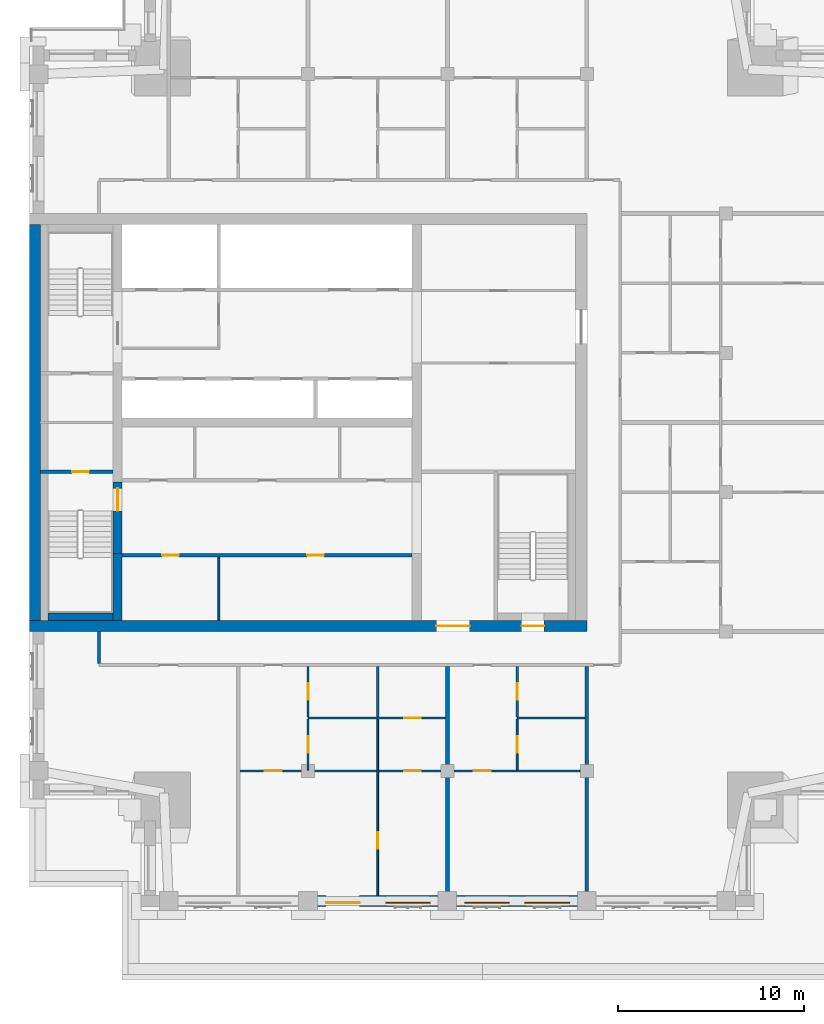
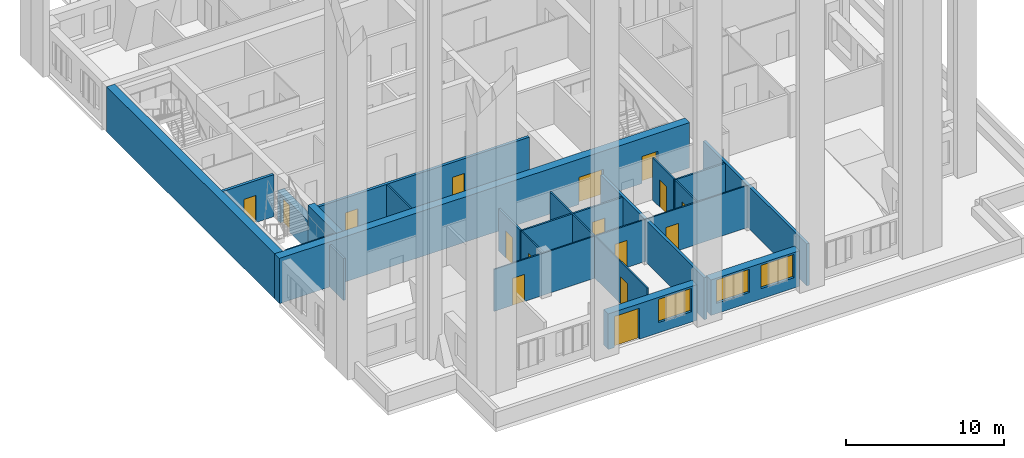
# One storey, part 3 of 12: 22 walls, 16 doors, 3 windows, 19 openings.
"""IFC4 building model written with IfcOpenShell, lengths in metres."""

from ifc_helpers import new_model, si_unit, direction, frame, frame_2d, origin, place, context, subcontext, project, spatial, rectangle, extrude, material, layer, layer_set, type_object, element, fill, save


model = new_model("IFC4")

# Units and contexts
model_context = context("Model", 3, precision=1e-05, world=origin(), true_north=direction((0.0, 1.0)))
body_context = subcontext(model_context, "Body", "Model", "MODEL_VIEW")
ifc_project = project(units=[si_unit("LENGTHUNIT", "METRE"), si_unit("AREAUNIT", "SQUARE_METRE"), si_unit("VOLUMEUNIT", "CUBIC_METRE"), si_unit("PLANEANGLEUNIT", "RADIAN"), si_unit("MASSUNIT", "GRAM", prefix="KILO")], contexts=[model_context])

# Site, building, storey
site_placement = place(None, origin())
site = spatial("IfcSite", under=ifc_project, at=site_placement, CompositionType="ELEMENT")
building_placement = place(site_placement, origin())
building = spatial("IfcBuilding", under=site, at=building_placement, Name="Tamorin Gate", CompositionType="ELEMENT")
storey_placement = place(building_placement, frame((0.0, 0.0, 266.199951171875)))
storey = spatial("IfcBuildingStorey", under=building, at=storey_placement, Name="L66", CompositionType="ELEMENT", Elevation=266.199951171875)

# Wall, openings, window, door
ifc_material_1 = material(Name="Precast concrete C40/50", Category="concrete")
ifc_layer_1 = layer(ifc_material_1, 0.60009765625)
ifc_layer_set_1 = layer_set([ifc_layer_1], Name="Precast concrete C40/50")
wall_type_1 = type_object("IfcWallType", Name="Board-marked concrete facade panel 600", PredefinedType="SOLIDWALL", material=ifc_layer_set_1)
wall_1_placement = place(storey_placement, frame((45.5, 45.5, 0.0), z_axis=(0.0, 0.0, 1.0), x_axis=(1.0, 0.0, 0.0)))
wall_1 = element("IfcWall", 1, at=wall_1_placement, inside=storey, type_object=wall_type_1, Name="Facade panel", PredefinedType="SOLIDWALL", context=body_context, shape_type="SweptSolid", body=[
    extrude(rectangle(XDim=6.5, YDim=0.60009765625, at=frame_2d((3.25, 0.0))), origin(), (0.0, 0.0, 1.0), 2.75),
])
opening_1_placement = place(wall_1_placement, frame((0.47509765625, 0.0, 0.0)))
opening_1 = element("IfcOpeningElement", 2, at=opening_1_placement, cuts=wall_1, Name="Opening DX1", PredefinedType="OPENING", context=body_context, shape_type="SweptSolid", body=[
    extrude(rectangle(XDim=1.800048828125, YDim=2.39990234375, at=frame_2d((0.89990234375, 1.199951171875))), frame((0.0, 0.31005859375, 0.0), z_axis=(0.0, -1.0, 0.0), x_axis=(1.0, 0.0, 0.0)), (0.0, 0.0, 1.0), 0.6201171875),
])
opening_2_placement = place(wall_1_placement, frame((3.675048828125, 0.0, 0.800048828125)))
opening_2 = element("IfcOpeningElement", 3, at=opening_2_placement, cuts=wall_1, Name="Opening WN1", PredefinedType="OPENING", context=body_context, shape_type="SweptSolid", body=[
    extrude(rectangle(XDim=2.39990234375, YDim=1.800048828125, at=frame_2d((1.199951171875, 0.89990234375))), frame((0.0, 0.31005859375, 0.0), z_axis=(0.0, -1.0, 0.0), x_axis=(1.0, 0.0, 0.0)), (0.0, 0.0, 1.0), 0.6201171875),
])
ifc_material_2 = material(Name="Clear glass in aluminium frame", Category="aluminium")
window_type = type_object("IfcWindowType", Name="Deep-set window 2400x1800", PartitioningType="SINGLE_PANEL", PredefinedType="WINDOW", material=ifc_material_2)
window_1_placement = place(opening_2_placement, origin())
window_1 = element("IfcWindow", 4, at=window_1_placement, inside=storey, type_object=window_type, Name="Deep-set window", OverallHeight=1.800048828125, OverallWidth=2.39990234375, PartitioningType="SINGLE_PANEL", PredefinedType="WINDOW", context=body_context, shape_type="SweptSolid", body=[
    extrude(rectangle(XDim=2.39990234375, YDim=1.800048828125, at=frame_2d((1.199951171875, 0.89990234375))), frame((0.0, -0.070068359375, 0.0), z_axis=(0.0, -1.0, 0.0), x_axis=(1.0, 0.0, 0.0)), (0.0, 0.0, 1.0), 0.06005859375),
])
fill(opening_2, window_1)
door_type_1 = type_object("IfcDoorType", Name="Terrace door 1800x2400", OperationType="DOUBLE_DOOR_SINGLE_SWING", PredefinedType="DOOR", material=ifc_material_2)
door_1_placement = place(opening_1_placement, origin())
door_1 = element("IfcDoor", 5, at=door_1_placement, inside=storey, type_object=door_type_1, Name="Terrace door", OperationType="SINGLE_SWING_LEFT", OverallHeight=2.39990234375, OverallWidth=1.800048828125, PredefinedType="DOOR", context=body_context, shape_type="SweptSolid", body=[
    extrude(rectangle(XDim=1.800048828125, YDim=2.39990234375, at=frame_2d((0.89990234375, 1.199951171875))), frame((0.0, -0.0751953125, 0.0), z_axis=(0.0, -1.0, 0.0), x_axis=(1.0, 0.0, 0.0)), (0.0, 0.0, 1.0), 0.050048828125),
])
fill(opening_1, door_1)

# Wall, openings, windows
wall_2_placement = place(storey_placement, frame((53.0, 45.5, 0.0), z_axis=(0.0, 0.0, 1.0), x_axis=(1.0, 0.0, 0.0)))
wall_2 = element("IfcWall", 6, at=wall_2_placement, inside=storey, type_object=wall_type_1, Name="Facade panel", PredefinedType="SOLIDWALL", context=body_context, shape_type="SweptSolid", body=[
    extrude(rectangle(XDim=6.5, YDim=0.60009765625, at=frame_2d((3.25, 0.0))), origin(), (0.0, 0.0, 1.0), 2.75),
])
opening_3_placement = place(wall_2_placement, frame((0.425048828125, 0.0, 0.800048828125)))
opening_3 = element("IfcOpeningElement", 7, at=opening_3_placement, cuts=wall_2, Name="Opening WN1", PredefinedType="OPENING", context=body_context, shape_type="SweptSolid", body=[
    extrude(rectangle(XDim=2.39990234375, YDim=1.800048828125, at=frame_2d((1.199951171875, 0.89990234375))), frame((0.0, 0.31005859375, 0.0), z_axis=(0.0, -1.0, 0.0), x_axis=(1.0, 0.0, 0.0)), (0.0, 0.0, 1.0), 0.6201171875),
])
opening_4_placement = place(wall_2_placement, frame((3.675048828125, 0.0, 0.800048828125)))
opening_4 = element("IfcOpeningElement", 8, at=opening_4_placement, cuts=wall_2, Name="Opening WN1", PredefinedType="OPENING", context=body_context, shape_type="SweptSolid", body=[
    extrude(rectangle(XDim=2.39990234375, YDim=1.800048828125, at=frame_2d((1.199951171875, 0.89990234375))), frame((0.0, 0.31005859375, 0.0), z_axis=(0.0, -1.0, 0.0), x_axis=(1.0, 0.0, 0.0)), (0.0, 0.0, 1.0), 0.6201171875),
])
window_2_placement = place(opening_3_placement, origin())
window_2 = element("IfcWindow", 9, at=window_2_placement, inside=storey, type_object=window_type, Name="Deep-set window", OverallHeight=1.800048828125, OverallWidth=2.39990234375, PartitioningType="SINGLE_PANEL", PredefinedType="WINDOW", context=body_context, shape_type="SweptSolid", body=[
    extrude(rectangle(XDim=2.39990234375, YDim=1.800048828125, at=frame_2d((1.199951171875, 0.89990234375))), frame((0.0, -0.070068359375, 0.0), z_axis=(0.0, -1.0, 0.0), x_axis=(1.0, 0.0, 0.0)), (0.0, 0.0, 1.0), 0.06005859375),
])
fill(opening_3, window_2)
window_3_placement = place(opening_4_placement, origin())
window_3 = element("IfcWindow", 10, at=window_3_placement, inside=storey, type_object=window_type, Name="Deep-set window", OverallHeight=1.800048828125, OverallWidth=2.39990234375, PartitioningType="SINGLE_PANEL", PredefinedType="WINDOW", context=body_context, shape_type="SweptSolid", body=[
    extrude(rectangle(XDim=2.39990234375, YDim=1.800048828125, at=frame_2d((1.199951171875, 0.89990234375))), frame((0.0, -0.070068359375, 0.0), z_axis=(0.0, -1.0, 0.0), x_axis=(1.0, 0.0, 0.0)), (0.0, 0.0, 1.0), 0.06005859375),
])
fill(opening_4, window_3)

# Walls
ifc_material_3 = material(Name="Gypsum board partition")
ifc_layer_2 = layer(ifc_material_3, 0.14990234375)
ifc_layer_set_2 = layer_set([ifc_layer_2], Name="Corridor wall 150")
wall_type_2 = type_object("IfcWallType", Name="Corridor wall 150", PredefinedType="PARTITIONING", material=ifc_layer_set_2)
wall_3_placement = place(storey_placement, frame((33.75, 58.27490234375, 0.0), z_axis=(0.0, 0.0, 1.0), x_axis=(0.0, 1.0, 0.0)))
element("IfcWall", 11, at=wall_3_placement, inside=storey, type_object=wall_type_2, Name="Corridor wall 150", PredefinedType="PARTITIONING", context=body_context, shape_type="SweptSolid", body=[
    extrude(rectangle(XDim=1.72509765625, YDim=0.14990234375, at=frame_2d((0.862548828125, 0.0))), origin(), (0.0, 0.0, 1.0), 3.25),
])
ifc_layer_3 = layer(ifc_material_3, 0.199951171875)
ifc_layer_set_3 = layer_set([ifc_layer_3], Name="Demising wall 200")
wall_type_3 = type_object("IfcWallType", Name="Demising wall 200", PredefinedType="PARTITIONING", material=ifc_layer_set_3)
for number, where, z_axis, x_axis, name in (
    (12, (52.5, 45.0, 0.0), (0.0, 0.0, 1.0), (0.0, 1.0, 0.0), "Demising wall 200"),
    (13, (60.0, 45.0, 0.0), (0.0, 0.0, 1.0), (0.0, 1.0, 0.0), "Demising wall 200"),
):
    element("IfcWall", number, at=place(storey_placement, frame(where, z_axis=z_axis, x_axis=x_axis)), inside=storey, type_object=wall_type_3, Name=name, PredefinedType="PARTITIONING", context=body_context, shape_type="SweptSolid", body=[
        extrude(rectangle(XDim=13.125, YDim=0.199951171875, at=frame_2d((6.5625, 0.0))), origin(), (0.0, 0.0, 1.0), 3.25),
    ])
ifc_material_4 = material(Name="Concrete C50/60", Category="concrete")
ifc_layer_4 = layer(ifc_material_4, 0.5)
ifc_layer_set_4 = layer_set([ifc_layer_4], Name="RC core internal wall 500 C50/60")
wall_type_4 = type_object("IfcWallType", Name="RC core internal wall 500 C50/60", PredefinedType="SHEAR", material=ifc_layer_set_4)
wall_4_placement = place(storey_placement, frame((34.75, 60.60009765625, 0.0), z_axis=(0.0, 0.0, 1.0), x_axis=(0.0, 1.0, 0.0)))
element("IfcWall", 14, at=wall_4_placement, inside=storey, type_object=wall_type_4, Name="Core cross wall L66", PredefinedType="SHEAR", context=body_context, shape_type="SweptSolid", body=[
    extrude(rectangle(XDim=3.599853515625, YDim=0.5, at=frame_2d((1.7998046875, 0.0))), origin(), (0.0, 0.0, 1.0), 3.5),
])

# Wall, openings, doors
ifc_layer_5 = layer(ifc_material_4, 0.60009765625)
ifc_layer_set_5 = layer_set([ifc_layer_5], Name="RC core wall 600 C50/60")
wall_type_5 = type_object("IfcWallType", Name="RC core wall 600 C50/60", PredefinedType="SHEAR", material=ifc_layer_set_5)
wall_5_placement = place(storey_placement, frame((30.0, 60.300048828125, 0.0), z_axis=(0.0, 0.0, 1.0), x_axis=(1.0, 0.0, 0.0)))
wall_5 = element("IfcWall", 15, at=wall_5_placement, inside=storey, type_object=wall_type_5, Name="Core wall L66", PredefinedType="SHEAR", context=body_context, shape_type="SweptSolid", body=[
    extrude(rectangle(XDim=30.0, YDim=0.60009765625, at=frame_2d((15.0, 0.0))), origin(), (0.0, 0.0, 1.0), 3.5),
])
opening_5_placement = place(wall_5_placement, frame((21.89990234375, 0.0, 0.0)))
opening_5 = element("IfcOpeningElement", 16, at=opening_5_placement, cuts=wall_5, Name="Opening DE1", PredefinedType="OPENING", context=body_context, shape_type="SweptSolid", body=[
    extrude(rectangle(XDim=1.800048828125, YDim=2.10009765625, at=frame_2d((0.89990234375, 1.050048828125))), frame((0.0, 0.31005859375, 0.0), z_axis=(0.0, -1.0, 0.0), x_axis=(1.0, 0.0, 0.0)), (0.0, 0.0, 1.0), 0.6201171875),
])
opening_6_placement = place(wall_5_placement, frame((26.5, 0.0, 0.0)))
opening_6 = element("IfcOpeningElement", 17, at=opening_6_placement, cuts=wall_5, Name="Opening DS1", PredefinedType="OPENING", context=body_context, shape_type="SweptSolid", body=[
    extrude(rectangle(XDim=1.199951171875, YDim=2.10009765625, at=frame_2d((0.60009765625, 1.050048828125))), frame((0.0, 0.31005859375, 0.0), z_axis=(0.0, -1.0, 0.0), x_axis=(1.0, 0.0, 0.0)), (0.0, 0.0, 1.0), 0.6201171875),
])
ifc_material_5 = material(Name="Steel fire door", Category="steel")
door_type_2 = type_object("IfcDoorType", Name="Lobby exit double door 1800 x 2100 EI 60", OperationType="DOUBLE_DOOR_SINGLE_SWING", PredefinedType="DOOR", material=ifc_material_5)
door_2_placement = place(opening_5_placement, origin())
door_2 = element("IfcDoor", 18, at=door_2_placement, inside=storey, type_object=door_type_2, Name="Lift lobby A exit door", OperationType="DOUBLE_DOOR_SINGLE_SWING", OverallHeight=2.10009765625, OverallWidth=1.800048828125, PredefinedType="DOOR", context=body_context, shape_type="SweptSolid", body=[
    extrude(rectangle(XDim=1.800048828125, YDim=2.10009765625, at=frame_2d((0.89990234375, 1.050048828125))), frame((0.0, 0.02490234375, 0.0), z_axis=(0.0, -1.0, 0.0), x_axis=(1.0, 0.0, 0.0)), (0.0, 0.0, 1.0), 0.050048828125),
])
fill(opening_5, door_2)
door_type_3 = type_object("IfcDoorType", Name="Stair door 1200 x 2100 EI 90", OperationType="SINGLE_SWING_LEFT", PredefinedType="DOOR", material=ifc_material_5)
door_3_placement = place(opening_6_placement, origin())
door_3 = element("IfcDoor", 19, at=door_3_placement, inside=storey, type_object=door_type_3, Name="ST3 door", OperationType="SINGLE_SWING_LEFT", OverallHeight=2.10009765625, OverallWidth=1.199951171875, PredefinedType="DOOR", context=body_context, shape_type="SweptSolid", body=[
    extrude(rectangle(XDim=1.199951171875, YDim=2.10009765625, at=frame_2d((0.60009765625, 1.050048828125))), frame((0.0, 0.02490234375, 0.0), z_axis=(0.0, -1.0, 0.0), x_axis=(1.0, 0.0, 0.0)), (0.0, 0.0, 1.0), 0.050048828125),
])
fill(opening_6, door_3)

# Wall
wall_6_placement = place(storey_placement, frame((30.300048828125, 60.60009765625, 0.0), z_axis=(0.0, 0.0, 1.0), x_axis=(0.0, 1.0, 0.0)))
element("IfcWall", 20, at=wall_6_placement, inside=storey, type_object=wall_type_5, Name="Core wall L66", PredefinedType="SHEAR", context=body_context, shape_type="SweptSolid", body=[
    extrude(rectangle(XDim=21.2998046875, YDim=0.60009765625, at=frame_2d((10.64990234375, 0.0))), origin(), (0.0, 0.0, 1.0), 3.5),
])

# Wall, openings, doors
ifc_layer_6 = layer(ifc_material_3, 0.10009765625)
ifc_layer_set_6 = layer_set([ifc_layer_6], Name="Room partition 100")
wall_type_6 = type_object("IfcWallType", Name="Room partition 100", PredefinedType="PARTITIONING", material=ifc_layer_set_6)
wall_7_placement = place(storey_placement, frame((41.35009765625, 52.5, 0.0), z_axis=(0.0, 0.0, 1.0), x_axis=(1.0, 0.0, 0.0)))
wall_7 = element("IfcWall", 21, at=wall_7_placement, inside=storey, type_object=wall_type_6, Name="Room partition 100", PredefinedType="PARTITIONING", context=body_context, shape_type="SweptSolid", body=[
    extrude(rectangle(XDim=18.5498046875, YDim=0.10009765625, at=frame_2d((9.27490234375, 0.0))), origin(), (0.0, 0.0, 1.0), 3.25),
])
opening_7_placement = place(wall_7_placement, frame((1.324951171875, 0.0, 0.0)))
opening_7 = element("IfcOpeningElement", 22, at=opening_7_placement, cuts=wall_7, Name="Opening DTF6003", PredefinedType="OPENING", context=body_context, shape_type="SweptSolid", body=[
    extrude(rectangle(XDim=0.89990234375, YDim=2.10009765625, at=frame_2d((0.449951171875, 1.050048828125))), frame((0.0, 0.06005859375, 0.0), z_axis=(0.0, -1.0, 0.0), x_axis=(1.0, 0.0, 0.0)), (0.0, 0.0, 1.0), 0.1201171875),
])
opening_8_placement = place(wall_7_placement, frame((8.824951171875, 0.0, 0.0)))
opening_8 = element("IfcOpeningElement", 23, at=opening_8_placement, cuts=wall_7, Name="Opening DTF6006", PredefinedType="OPENING", context=body_context, shape_type="SweptSolid", body=[
    extrude(rectangle(XDim=0.89990234375, YDim=2.10009765625, at=frame_2d((0.449951171875, 1.050048828125))), frame((0.0, 0.06005859375, 0.0), z_axis=(0.0, -1.0, 0.0), x_axis=(1.0, 0.0, 0.0)), (0.0, 0.0, 1.0), 0.1201171875),
])
opening_9_placement = place(wall_7_placement, frame((12.574951171875, 0.0, 0.0)))
opening_9 = element("IfcOpeningElement", 24, at=opening_9_placement, cuts=wall_7, Name="Opening DTF6010", PredefinedType="OPENING", context=body_context, shape_type="SweptSolid", body=[
    extrude(rectangle(XDim=0.89990234375, YDim=2.10009765625, at=frame_2d((0.449951171875, 1.050048828125))), frame((0.0, 0.06005859375, 0.0), z_axis=(0.0, -1.0, 0.0), x_axis=(1.0, 0.0, 0.0)), (0.0, 0.0, 1.0), 0.1201171875),
])
ifc_material_6 = material(Name="Timber door leaf", Category="wood")
door_type_4 = type_object("IfcDoorType", Name="Door 900 x 2100", OperationType="NOTDEFINED", PredefinedType="DOOR", material=ifc_material_6)
door_4_placement = place(opening_7_placement, origin())
door_4 = element("IfcDoor", 25, at=door_4_placement, inside=storey, type_object=door_type_4, Name="Door DTF6003", OperationType="SINGLE_SWING_LEFT", OverallHeight=2.10009765625, OverallWidth=0.89990234375, PredefinedType="DOOR", context=body_context, shape_type="SweptSolid", body=[
    extrude(rectangle(XDim=0.89990234375, YDim=2.10009765625, at=frame_2d((0.449951171875, 1.050048828125))), frame((0.0, 0.02490234375, 0.0), z_axis=(0.0, -1.0, 0.0), x_axis=(1.0, 0.0, 0.0)), (0.0, 0.0, 1.0), 0.050048828125),
])
fill(opening_7, door_4)
door_5_placement = place(opening_8_placement, origin())
door_5 = element("IfcDoor", 26, at=door_5_placement, inside=storey, type_object=door_type_4, Name="Door DTF6006", OperationType="SINGLE_SWING_LEFT", OverallHeight=2.10009765625, OverallWidth=0.89990234375, PredefinedType="DOOR", context=body_context, shape_type="SweptSolid", body=[
    extrude(rectangle(XDim=0.89990234375, YDim=2.10009765625, at=frame_2d((0.449951171875, 1.050048828125))), frame((0.0, 0.02490234375, 0.0), z_axis=(0.0, -1.0, 0.0), x_axis=(1.0, 0.0, 0.0)), (0.0, 0.0, 1.0), 0.050048828125),
])
fill(opening_8, door_5)
door_6_placement = place(opening_9_placement, origin())
door_6 = element("IfcDoor", 27, at=door_6_placement, inside=storey, type_object=door_type_4, Name="Door DTF6010", OperationType="SINGLE_SWING_LEFT", OverallHeight=2.10009765625, OverallWidth=0.89990234375, PredefinedType="DOOR", context=body_context, shape_type="SweptSolid", body=[
    extrude(rectangle(XDim=0.89990234375, YDim=2.10009765625, at=frame_2d((0.449951171875, 1.050048828125))), frame((0.0, 0.02490234375, 0.0), z_axis=(0.0, -1.0, 0.0), x_axis=(1.0, 0.0, 0.0)), (0.0, 0.0, 1.0), 0.050048828125),
])
fill(opening_9, door_6)

# Wall, opening, door
wall_8_placement = place(storey_placement, frame((45.0, 52.550048828125, 0.0), z_axis=(0.0, 0.0, 1.0), x_axis=(0.0, 1.0, 0.0)))
wall_8 = element("IfcWall", 28, at=wall_8_placement, inside=storey, type_object=wall_type_6, Name="Room partition 100", PredefinedType="PARTITIONING", context=body_context, shape_type="SweptSolid", body=[
    extrude(rectangle(XDim=2.737548828125, YDim=0.10009765625, at=frame_2d((1.36865234375, 0.0))), origin(), (0.0, 0.0, 1.0), 3.25),
])
opening_10_placement = place(wall_8_placement, frame((0.925048828125, 0.0, 0.0)))
opening_10 = element("IfcOpeningElement", 29, at=opening_10_placement, cuts=wall_8, Name="Opening DTF6004", PredefinedType="OPENING", context=body_context, shape_type="SweptSolid", body=[
    extrude(rectangle(XDim=0.89990234375, YDim=2.10009765625, at=frame_2d((0.449951171875, 1.050048828125))), frame((0.0, 0.06005859375, 0.0), z_axis=(0.0, -1.0, 0.0), x_axis=(1.0, 0.0, 0.0)), (0.0, 0.0, 1.0), 0.1201171875),
])
door_7_placement = place(opening_10_placement, origin())
door_7 = element("IfcDoor", 30, at=door_7_placement, inside=storey, type_object=door_type_4, Name="Door DTF6004", OperationType="SINGLE_SWING_RIGHT", OverallHeight=2.10009765625, OverallWidth=0.89990234375, PredefinedType="DOOR", context=body_context, shape_type="SweptSolid", body=[
    extrude(rectangle(XDim=0.89990234375, YDim=2.10009765625, at=frame_2d((0.449951171875, 1.050048828125))), frame((0.0, 0.02490234375, 0.0), z_axis=(0.0, -1.0, 0.0), x_axis=(1.0, 0.0, 0.0)), (0.0, 0.0, 1.0), 0.050048828125),
])
fill(opening_10, door_7)

wall_9_placement = place(storey_placement, frame((48.75, 45.81005859375, 0.0), z_axis=(0.0, 0.0, 1.0), x_axis=(0.0, 1.0, 0.0)))
wall_9 = element("IfcWall", 31, at=wall_9_placement, inside=storey, type_object=wall_type_6, Name="Room partition 100", PredefinedType="PARTITIONING", context=body_context, shape_type="SweptSolid", body=[
    extrude(rectangle(XDim=9.4775390625, YDim=0.10009765625, at=frame_2d((4.73876953125, 0.0))), origin(), (0.0, 0.0, 1.0), 3.25),
])
opening_11_placement = place(wall_9_placement, frame((2.489990234375, 0.0, 0.0)))
opening_11 = element("IfcOpeningElement", 32, at=opening_11_placement, cuts=wall_9, Name="Opening DTF6008", PredefinedType="OPENING", context=body_context, shape_type="SweptSolid", body=[
    extrude(rectangle(XDim=0.89990234375, YDim=2.10009765625, at=frame_2d((0.449951171875, 1.050048828125))), frame((0.0, 0.06005859375, 0.0), z_axis=(0.0, -1.0, 0.0), x_axis=(1.0, 0.0, 0.0)), (0.0, 0.0, 1.0), 0.1201171875),
])
door_8_placement = place(opening_11_placement, origin())
door_8 = element("IfcDoor", 33, at=door_8_placement, inside=storey, type_object=door_type_4, Name="Door DTF6008", OperationType="SINGLE_SWING_LEFT", OverallHeight=2.10009765625, OverallWidth=0.89990234375, PredefinedType="DOOR", context=body_context, shape_type="SweptSolid", body=[
    extrude(rectangle(XDim=0.89990234375, YDim=2.10009765625, at=frame_2d((0.449951171875, 1.050048828125))), frame((0.0, 0.02490234375, 0.0), z_axis=(0.0, -1.0, 0.0), x_axis=(1.0, 0.0, 0.0)), (0.0, 0.0, 1.0), 0.050048828125),
])
fill(opening_11, door_8)

wall_10_placement = place(storey_placement, frame((56.25, 52.550048828125, 0.0), z_axis=(0.0, 0.0, 1.0), x_axis=(0.0, 1.0, 0.0)))
wall_10 = element("IfcWall", 34, at=wall_10_placement, inside=storey, type_object=wall_type_6, Name="Room partition 100", PredefinedType="PARTITIONING", context=body_context, shape_type="SweptSolid", body=[
    extrude(rectangle(XDim=2.737548828125, YDim=0.10009765625, at=frame_2d((1.36865234375, 0.0))), origin(), (0.0, 0.0, 1.0), 3.25),
])
opening_12_placement = place(wall_10_placement, frame((0.925048828125, 0.0, 0.0)))
opening_12 = element("IfcOpeningElement", 35, at=opening_12_placement, cuts=wall_10, Name="Opening DTF6011", PredefinedType="OPENING", context=body_context, shape_type="SweptSolid", body=[
    extrude(rectangle(XDim=0.89990234375, YDim=2.10009765625, at=frame_2d((0.449951171875, 1.050048828125))), frame((0.0, 0.06005859375, 0.0), z_axis=(0.0, -1.0, 0.0), x_axis=(1.0, 0.0, 0.0)), (0.0, 0.0, 1.0), 0.1201171875),
])
door_9_placement = place(opening_12_placement, origin())
door_9 = element("IfcDoor", 36, at=door_9_placement, inside=storey, type_object=door_type_4, Name="Door DTF6011", OperationType="SINGLE_SWING_RIGHT", OverallHeight=2.10009765625, OverallWidth=0.89990234375, PredefinedType="DOOR", context=body_context, shape_type="SweptSolid", body=[
    extrude(rectangle(XDim=0.89990234375, YDim=2.10009765625, at=frame_2d((0.449951171875, 1.050048828125))), frame((0.0, 0.02490234375, 0.0), z_axis=(0.0, -1.0, 0.0), x_axis=(1.0, 0.0, 0.0)), (0.0, 0.0, 1.0), 0.050048828125),
])
fill(opening_12, door_9)

# Wall, openings, doors
ifc_layer_7 = layer(ifc_material_3, 0.199951171875)
ifc_layer_set_7 = layer_set([ifc_layer_7], Name="Service room face wall 200 EI 60")
wall_type_7 = type_object("IfcWallType", Name="Service room face wall 200 EI 60", PredefinedType="PARTITIONING", material=ifc_layer_set_7)
wall_11_placement = place(storey_placement, frame((35.0, 64.10009765625, 0.0), z_axis=(0.0, 0.0, 1.0), x_axis=(1.0, 0.0, 0.0)))
wall_11 = element("IfcWall", 37, at=wall_11_placement, inside=storey, type_object=wall_type_7, Name="Service room face wall", PredefinedType="PARTITIONING", context=body_context, shape_type="SweptSolid", body=[
    extrude(rectangle(XDim=15.60009765625, YDim=0.199951171875, at=frame_2d((7.800048828125, 0.0))), origin(), (0.0, 0.0, 1.0), 3.25),
])
opening_13_placement = place(wall_11_placement, frame((2.14990234375, 0.0, 0.0)))
opening_13 = element("IfcOpeningElement", 38, at=opening_13_placement, cuts=wall_11, Name="Opening DK1", PredefinedType="OPENING", context=body_context, shape_type="SweptSolid", body=[
    extrude(rectangle(XDim=0.89990234375, YDim=2.10009765625, at=frame_2d((0.449951171875, 1.050048828125))), frame((0.0, 0.10986328125, 0.0), z_axis=(0.0, -1.0, 0.0), x_axis=(1.0, 0.0, 0.0)), (0.0, 0.0, 1.0), 0.219970703125),
])
opening_14_placement = place(wall_11_placement, frame((9.949951171875, 0.0, 0.0)))
opening_14 = element("IfcOpeningElement", 39, at=opening_14_placement, cuts=wall_11, Name="Opening DK1", PredefinedType="OPENING", context=body_context, shape_type="SweptSolid", body=[
    extrude(rectangle(XDim=0.89990234375, YDim=2.10009765625, at=frame_2d((0.449951171875, 1.050048828125))), frame((0.0, 0.10986328125, 0.0), z_axis=(0.0, -1.0, 0.0), x_axis=(1.0, 0.0, 0.0)), (0.0, 0.0, 1.0), 0.219970703125),
])
ifc_material_7 = material(Name="Timber fire door", Category="wood")
door_type_5 = type_object("IfcDoorType", Name="Service room door 900 x 2100 EI 60", OperationType="SINGLE_SWING_LEFT", PredefinedType="DOOR", material=ifc_material_7)
door_10_placement = place(opening_13_placement, origin())
door_10 = element("IfcDoor", 40, at=door_10_placement, inside=storey, type_object=door_type_5, Name="Door Club store", OperationType="SINGLE_SWING_RIGHT", OverallHeight=2.10009765625, OverallWidth=0.89990234375, PredefinedType="DOOR", context=body_context, shape_type="SweptSolid", body=[
    extrude(rectangle(XDim=0.89990234375, YDim=2.10009765625, at=frame_2d((0.449951171875, 1.050048828125))), frame((0.0, 0.02490234375, 0.0), z_axis=(0.0, -1.0, 0.0), x_axis=(1.0, 0.0, 0.0)), (0.0, 0.0, 1.0), 0.050048828125),
])
fill(opening_13, door_10)
door_11_placement = place(opening_14_placement, origin())
door_11 = element("IfcDoor", 41, at=door_11_placement, inside=storey, type_object=door_type_5, Name="Door Pantry", OperationType="SINGLE_SWING_LEFT", OverallHeight=2.10009765625, OverallWidth=0.89990234375, PredefinedType="DOOR", context=body_context, shape_type="SweptSolid", body=[
    extrude(rectangle(XDim=0.89990234375, YDim=2.10009765625, at=frame_2d((0.449951171875, 1.050048828125))), frame((0.0, 0.02490234375, 0.0), z_axis=(0.0, -1.0, 0.0), x_axis=(1.0, 0.0, 0.0)), (0.0, 0.0, 1.0), 0.050048828125),
])
fill(opening_14, door_11)

# Wall
ifc_layer_8 = layer(ifc_material_3, 0.10009765625)
ifc_layer_set_8 = layer_set([ifc_layer_8], Name="Service room partition 100 EI 60")
wall_type_8 = type_object("IfcWallType", Name="Service room partition 100 EI 60", PredefinedType="PARTITIONING", material=ifc_layer_set_8)
wall_12_placement = place(storey_placement, frame((40.199951171875, 60.60009765625, 0.0), z_axis=(0.0, 0.0, 1.0), x_axis=(0.0, 1.0, 0.0)))
element("IfcWall", 42, at=wall_12_placement, inside=storey, type_object=wall_type_8, Name="Service room partition", PredefinedType="PARTITIONING", context=body_context, shape_type="SweptSolid", body=[
    extrude(rectangle(XDim=3.39990234375, YDim=0.10009765625, at=frame_2d((1.699951171875, 0.0))), origin(), (0.0, 0.0, 1.0), 3.25),
])

# Wall, opening, door
ifc_material_8 = material(Name="Concrete C40/50", Category="concrete")
ifc_layer_9 = layer(ifc_material_8, 0.199951171875)
ifc_layer_set_9 = layer_set([ifc_layer_9], Name="Stair enclosure wall 200 EI 120 C40/50")
wall_type_9 = type_object("IfcWallType", Name="Stair enclosure wall 200 EI 120 C40/50", PredefinedType="SOLIDWALL", material=ifc_layer_set_9)
wall_13_placement = place(storey_placement, frame((30.60009765625, 68.60009765625, 0.0), z_axis=(0.0, 0.0, 1.0), x_axis=(1.0, 0.0, 0.0)))
wall_13 = element("IfcWall", 43, at=wall_13_placement, inside=storey, type_object=wall_type_9, Name="Stair enclosure wall", PredefinedType="SOLIDWALL", context=body_context, shape_type="SweptSolid", body=[
    extrude(rectangle(XDim=3.89990234375, YDim=0.199951171875, at=frame_2d((1.949951171875, 0.0))), origin(), (0.0, 0.0, 1.0), 3.25),
])
opening_15_placement = place(wall_13_placement, frame((1.699951171875, 0.0, 0.0)))
opening_15 = element("IfcOpeningElement", 44, at=opening_15_placement, cuts=wall_13, Name="Opening DR1", PredefinedType="OPENING", context=body_context, shape_type="SweptSolid", body=[
    extrude(rectangle(XDim=0.89990234375, YDim=2.10009765625, at=frame_2d((0.449951171875, 1.050048828125))), frame((0.0, 0.10986328125, 0.0), z_axis=(0.0, -1.0, 0.0), x_axis=(1.0, 0.0, 0.0)), (0.0, 0.0, 1.0), 0.219970703125),
])
door_type_6 = type_object("IfcDoorType", Name="Riser access door 900 x 2100 EI 120", OperationType="SINGLE_SWING_LEFT", PredefinedType="DOOR", material=ifc_material_5)
door_12_placement = place(opening_15_placement, origin())
door_12 = element("IfcDoor", 45, at=door_12_placement, inside=storey, type_object=door_type_6, Name="Electrical riser door", OperationType="SINGLE_SWING_LEFT", OverallHeight=2.10009765625, OverallWidth=0.89990234375, PredefinedType="DOOR", context=body_context, shape_type="SweptSolid", body=[
    extrude(rectangle(XDim=0.89990234375, YDim=2.10009765625, at=frame_2d((0.449951171875, 1.050048828125))), frame((0.0, 0.02490234375, 0.0), z_axis=(0.0, -1.0, 0.0), x_axis=(1.0, 0.0, 0.0)), (0.0, 0.0, 1.0), 0.050048828125),
])
fill(opening_15, door_12)

# Wall
ifc_layer_10 = layer(ifc_material_4, 0.39990234375)
ifc_layer_set_10 = layer_set([ifc_layer_10], Name="Stair lining wall 400 EI 120 C50/60")
wall_type_10 = type_object("IfcWallType", Name="Stair lining wall 400 EI 120 C50/60", PredefinedType="SOLIDWALL", material=ifc_layer_set_10)
wall_14_placement = place(storey_placement, frame((31.0, 60.800048828125, 0.0), z_axis=(0.0, 0.0, 1.0), x_axis=(1.0, 0.0, 0.0)))
element("IfcWall", 46, at=wall_14_placement, inside=storey, type_object=wall_type_10, Name="Stair lining wall", PredefinedType="SOLIDWALL", context=body_context, shape_type="SweptSolid", body=[
    extrude(rectangle(XDim=3.5, YDim=0.39990234375, at=frame_2d((1.75, 0.0))), origin(), (0.0, 0.0, 1.0), 3.25),
])

# Wall, opening, door
ifc_material_9 = material(Name="Concrete C32/40", Category="concrete")
ifc_layer_11 = layer(ifc_material_9, 0.5)
ifc_layer_set_11 = layer_set([ifc_layer_11], Name="Stair lobby infill wall 500 EI 120")
wall_type_11 = type_object("IfcWallType", Name="Stair lobby infill wall 500 EI 120", PredefinedType="SOLIDWALL", material=ifc_layer_set_11)
wall_15_placement = place(storey_placement, frame((34.75, 64.199951171875, 0.0), z_axis=(0.0, 0.0, 1.0), x_axis=(0.0, 1.0, 0.0)))
wall_15 = element("IfcWall", 47, at=wall_15_placement, inside=storey, type_object=wall_type_11, Name="Stair lobby infill wall", PredefinedType="SOLIDWALL", context=body_context, shape_type="SweptSolid", body=[
    extrude(rectangle(XDim=3.85009765625, YDim=0.5, at=frame_2d((1.925048828125, 0.0))), origin(), (0.0, 0.0, 1.0), 2.300048828125),
])
opening_16_placement = place(wall_15_placement, frame((2.300048828125, 0.0, 0.0)))
opening_16 = element("IfcOpeningElement", 48, at=opening_16_placement, cuts=wall_15, Name="Opening DS1", PredefinedType="OPENING", context=body_context, shape_type="SweptSolid", body=[
    extrude(rectangle(XDim=1.199951171875, YDim=2.10009765625, at=frame_2d((0.60009765625, 1.050048828125))), frame((0.0, 0.260009765625, 0.0), z_axis=(0.0, -1.0, 0.0), x_axis=(1.0, 0.0, 0.0)), (0.0, 0.0, 1.0), 0.52001953125),
])
door_13_placement = place(opening_16_placement, origin())
door_13 = element("IfcDoor", 49, at=door_13_placement, inside=storey, type_object=door_type_3, Name="ST1 door", OperationType="SINGLE_SWING_LEFT", OverallHeight=2.10009765625, OverallWidth=1.199951171875, PredefinedType="DOOR", context=body_context, shape_type="SweptSolid", body=[
    extrude(rectangle(XDim=1.199951171875, YDim=2.10009765625, at=frame_2d((0.60009765625, 1.050048828125))), frame((0.0, 0.02490234375, 0.0), z_axis=(0.0, -1.0, 0.0), x_axis=(1.0, 0.0, 0.0)), (0.0, 0.0, 1.0), 0.050048828125),
])
fill(opening_16, door_13)

ifc_layer_12 = layer(ifc_material_3, 0.125)
ifc_layer_set_12 = layer_set([ifc_layer_12], Name="Wet wall 125")
wall_type_12 = type_object("IfcWallType", Name="Wet wall 125", PredefinedType="PARTITIONING", material=ifc_layer_set_12)
wall_16_placement = place(storey_placement, frame((45.0, 55.35009765625, 0.0), z_axis=(0.0, 0.0, 1.0), x_axis=(1.0, 0.0, 0.0)))
wall_16 = element("IfcWall", 50, at=wall_16_placement, inside=storey, type_object=wall_type_12, Name="Wet wall 125", PredefinedType="PARTITIONING", context=body_context, shape_type="SweptSolid", body=[
    extrude(rectangle(XDim=7.39990234375, YDim=0.125, at=frame_2d((3.699951171875, 0.0))), origin(), (0.0, 0.0, 1.0), 3.25),
])
opening_17_placement = place(wall_16_placement, frame((5.175048828125, 0.0, 0.0)))
opening_17 = element("IfcOpeningElement", 51, at=opening_17_placement, cuts=wall_16, Name="Opening DTF6007", PredefinedType="OPENING", context=body_context, shape_type="SweptSolid", body=[
    extrude(rectangle(XDim=0.89990234375, YDim=2.10009765625, at=frame_2d((0.449951171875, 1.050048828125))), frame((0.0, 0.072509765625, 0.0), z_axis=(0.0, -1.0, 0.0), x_axis=(1.0, 0.0, 0.0)), (0.0, 0.0, 1.0), 0.14501953125),
])
door_14_placement = place(opening_17_placement, origin())
door_14 = element("IfcDoor", 52, at=door_14_placement, inside=storey, type_object=door_type_4, Name="Door DTF6007", OperationType="SINGLE_SWING_LEFT", OverallHeight=2.10009765625, OverallWidth=0.89990234375, PredefinedType="DOOR", context=body_context, shape_type="SweptSolid", body=[
    extrude(rectangle(XDim=0.89990234375, YDim=2.10009765625, at=frame_2d((0.449951171875, 1.050048828125))), frame((0.0, 0.02490234375, 0.0), z_axis=(0.0, -1.0, 0.0), x_axis=(1.0, 0.0, 0.0)), (0.0, 0.0, 1.0), 0.050048828125),
])
fill(opening_17, door_14)

# Wall
wall_17_placement = place(storey_placement, frame((56.25, 55.35009765625, 0.0), z_axis=(0.0, 0.0, 1.0), x_axis=(1.0, 0.0, 0.0)))
element("IfcWall", 53, at=wall_17_placement, inside=storey, type_object=wall_type_12, Name="Wet wall 125", PredefinedType="PARTITIONING", context=body_context, shape_type="SweptSolid", body=[
    extrude(rectangle(XDim=3.64990234375, YDim=0.125, at=frame_2d((1.824951171875, 0.0))), origin(), (0.0, 0.0, 1.0), 3.25),
])

# Wall, opening, door
wall_18_placement = place(storey_placement, frame((45.0, 55.41259765625, 0.0), z_axis=(0.0, 0.0, 1.0), x_axis=(0.0, 1.0, 0.0)))
wall_18 = element("IfcWall", 54, at=wall_18_placement, inside=storey, type_object=wall_type_12, Name="Wet wall 125", PredefinedType="PARTITIONING", context=body_context, shape_type="SweptSolid", body=[
    extrude(rectangle(XDim=2.71240234375, YDim=0.125, at=frame_2d((1.356201171875, 0.0))), origin(), (0.0, 0.0, 1.0), 3.25),
])
opening_18_placement = place(wall_18_placement, frame((0.91259765625, 0.0, 0.0)))
opening_18 = element("IfcOpeningElement", 55, at=opening_18_placement, cuts=wall_18, Name="Opening DTF6005", PredefinedType="OPENING", context=body_context, shape_type="SweptSolid", body=[
    extrude(rectangle(XDim=0.89990234375, YDim=2.10009765625, at=frame_2d((0.449951171875, 1.050048828125))), frame((0.0, 0.072509765625, 0.0), z_axis=(0.0, -1.0, 0.0), x_axis=(1.0, 0.0, 0.0)), (0.0, 0.0, 1.0), 0.14501953125),
])
door_15_placement = place(opening_18_placement, origin())
door_15 = element("IfcDoor", 56, at=door_15_placement, inside=storey, type_object=door_type_4, Name="Door DTF6005", OperationType="SINGLE_SWING_RIGHT", OverallHeight=2.10009765625, OverallWidth=0.89990234375, PredefinedType="DOOR", context=body_context, shape_type="SweptSolid", body=[
    extrude(rectangle(XDim=0.89990234375, YDim=2.10009765625, at=frame_2d((0.449951171875, 1.050048828125))), frame((0.0, 0.02490234375, 0.0), z_axis=(0.0, -1.0, 0.0), x_axis=(1.0, 0.0, 0.0)), (0.0, 0.0, 1.0), 0.050048828125),
])
fill(opening_18, door_15)

# Wall
wall_19_placement = place(storey_placement, frame((48.75, 55.41259765625, 0.0), z_axis=(0.0, 0.0, 1.0), x_axis=(0.0, 1.0, 0.0)))
element("IfcWall", 57, at=wall_19_placement, inside=storey, type_object=wall_type_12, Name="Wet wall 125", PredefinedType="PARTITIONING", context=body_context, shape_type="SweptSolid", body=[
    extrude(rectangle(XDim=2.71240234375, YDim=0.125, at=frame_2d((1.356201171875, 0.0))), origin(), (0.0, 0.0, 1.0), 3.25),
])

# Wall, opening, door
wall_20_placement = place(storey_placement, frame((56.25, 55.41259765625, 0.0), z_axis=(0.0, 0.0, 1.0), x_axis=(0.0, 1.0, 0.0)))
wall_20 = element("IfcWall", 58, at=wall_20_placement, inside=storey, type_object=wall_type_12, Name="Wet wall 125", PredefinedType="PARTITIONING", context=body_context, shape_type="SweptSolid", body=[
    extrude(rectangle(XDim=2.71240234375, YDim=0.125, at=frame_2d((1.356201171875, 0.0))), origin(), (0.0, 0.0, 1.0), 3.25),
])
opening_19_placement = place(wall_20_placement, frame((0.91259765625, 0.0, 0.0)))
opening_19 = element("IfcOpeningElement", 59, at=opening_19_placement, cuts=wall_20, Name="Opening DTF6012", PredefinedType="OPENING", context=body_context, shape_type="SweptSolid", body=[
    extrude(rectangle(XDim=0.89990234375, YDim=2.10009765625, at=frame_2d((0.449951171875, 1.050048828125))), frame((0.0, 0.072509765625, 0.0), z_axis=(0.0, -1.0, 0.0), x_axis=(1.0, 0.0, 0.0)), (0.0, 0.0, 1.0), 0.14501953125),
])
door_16_placement = place(opening_19_placement, origin())
door_16 = element("IfcDoor", 60, at=door_16_placement, inside=storey, type_object=door_type_4, Name="Door DTF6012", OperationType="SINGLE_SWING_RIGHT", OverallHeight=2.10009765625, OverallWidth=0.89990234375, PredefinedType="DOOR", context=body_context, shape_type="SweptSolid", body=[
    extrude(rectangle(XDim=0.89990234375, YDim=2.10009765625, at=frame_2d((0.449951171875, 1.050048828125))), frame((0.0, 0.02490234375, 0.0), z_axis=(0.0, -1.0, 0.0), x_axis=(1.0, 0.0, 0.0)), (0.0, 0.0, 1.0), 0.050048828125),
])
fill(opening_19, door_16)

save(model, "model.ifc")
